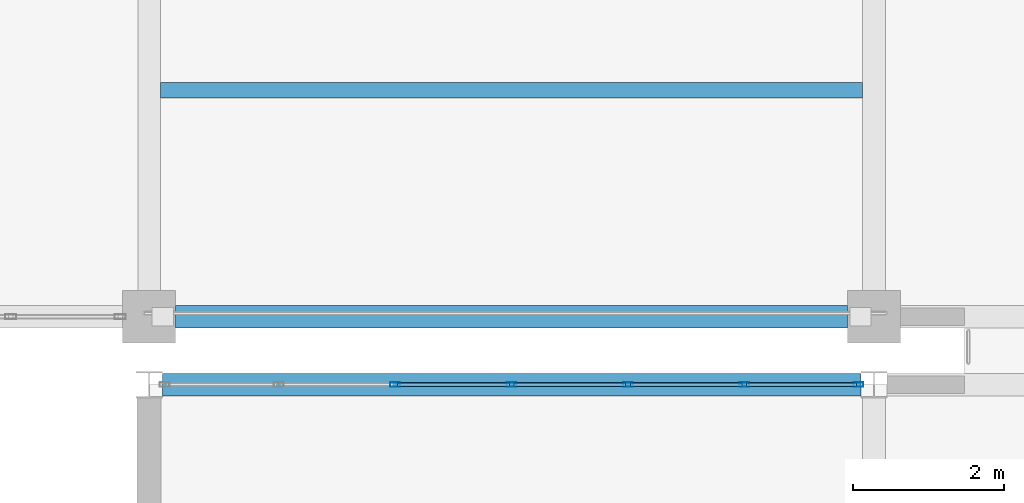
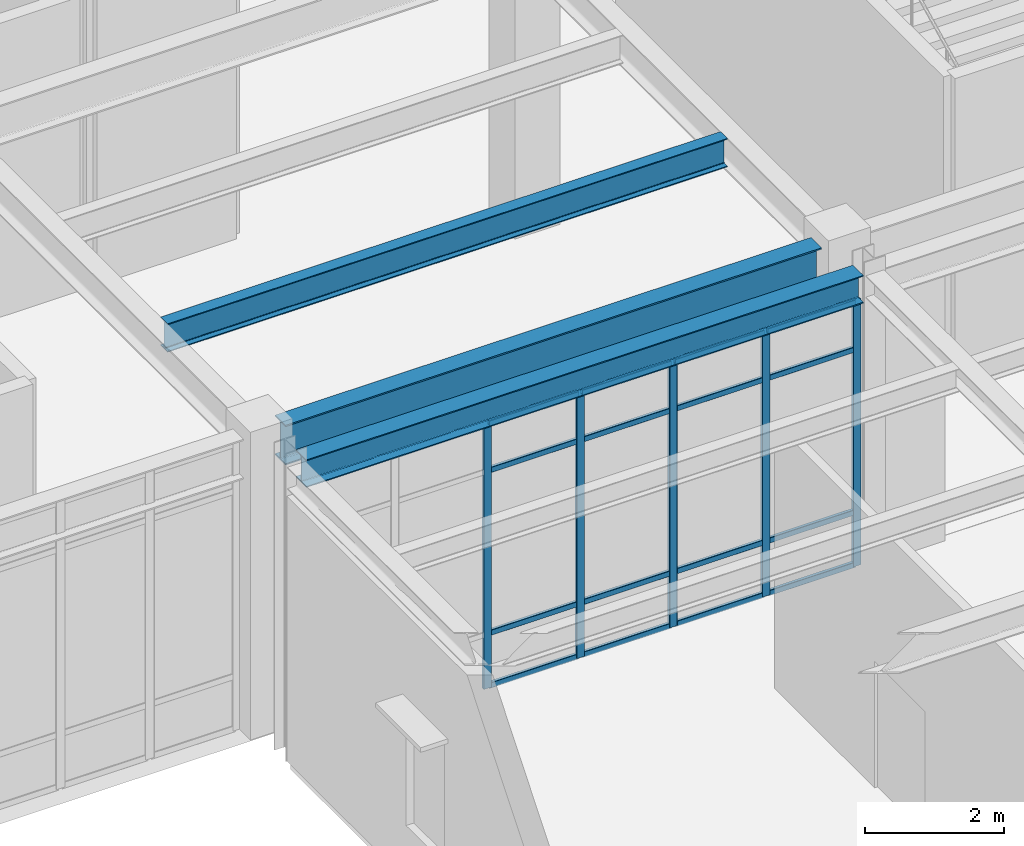
# One storey, part 23 of 80: 21 members, 3 beams, 1 element without a shape of its own.
"""IFC4 building model written with IfcOpenShell, lengths in metres."""

from ifc_helpers import new_model, si_unit, direction, frame, origin, origin_2d, place, context, subcontext, project, spatial, hollow_rectangle, i_section, extrude, material, material_profile, profile_set, type_object, element, aggregate, save


model = new_model("IFC4")

# Units and contexts
model_context = context("Model", 3, precision=1e-05, world=origin(), true_north=direction((0.0, 1.0)))
body_context = subcontext(model_context, "Body", "Model", "MODEL_VIEW")
ifc_project = project(units=[si_unit("LENGTHUNIT", "METRE"), si_unit("AREAUNIT", "SQUARE_METRE"), si_unit("VOLUMEUNIT", "CUBIC_METRE"), si_unit("PLANEANGLEUNIT", "RADIAN"), si_unit("MASSUNIT", "GRAM", prefix="KILO")], contexts=[model_context])

# Site, building, storey
site_placement = place(None, origin())
site = spatial("IfcSite", under=ifc_project, at=site_placement, CompositionType="ELEMENT")
building_placement = place(site_placement, origin())
building = spatial("IfcBuilding", under=site, at=building_placement, Name="Canglan Escarpment Cableway Terminal", CompositionType="ELEMENT")
storey_placement = place(building_placement, frame((0.0, 0.0, 19.199951171875)))
storey = spatial("IfcBuildingStorey", under=building, at=storey_placement, Name="L04", CompositionType="ELEMENT", Elevation=19.199951171875)

# Beams
ifc_material_1 = material(Name="Steel Q355B", Category="steel")
ifc_material_profile_1 = material_profile(ifc_material_1, i_section(OverallWidth=0.300048828125, OverallDepth=0.488037109375, WebThickness=0.010986328125, FlangeThickness=0.01806640625, FilletRadius=0.02587890625, at=origin_2d()), Name="HM 488x300x11x18")
ifc_profile_set_1 = profile_set([ifc_material_profile_1], Name="Steel Q355B")
beam_type_1 = type_object("IfcBeamType", Name="BM-HM488", PredefinedType="BEAM", material=ifc_profile_set_1)
beam_1_placement = place(storey_placement, frame((147.375, 33.10009765625, 4.916015625), z_axis=(1.0, 0.0, 0.0), x_axis=(0.0, 1.0, 0.0)))
element("IfcBeam", 1, at=beam_1_placement, inside=storey, type_object=beam_type_1, Name="Primary structural girder B-09", PredefinedType="BEAM", context=body_context, shape_type="SweptSolid", body=[
    extrude(i_section(OverallWidth=0.300048828125, OverallDepth=0.488037109375, WebThickness=0.010986328125, FlangeThickness=0.01806640625, FilletRadius=0.02587890625, at=origin_2d()), origin(), (0.0, 0.0, 1.0), 9.25),
])
ifc_material_2 = material(Name="Steel Q355C", Category="steel")
ifc_material_profile_2 = material_profile(ifc_material_2, i_section(OverallWidth=0.300048828125, OverallDepth=0.699951171875, WebThickness=0.012939453125, FlangeThickness=0.02392578125, FilletRadius=0.028076171875, at=origin_2d()), Name="HN 700x300x13x24")
ifc_profile_set_2 = profile_set([ifc_material_profile_2], Name="Steel Q355C")
beam_type_2 = type_object("IfcBeamType", Name="BM-HN700", PredefinedType="BEAM", material=ifc_profile_set_2)
beam_2_placement = place(storey_placement, frame((147.550048828125, 34.0, 4.81005859375), z_axis=(1.0, 0.0, 0.0), x_axis=(0.0, 1.0, 0.0)))
element("IfcBeam", 2, at=beam_2_placement, inside=storey, type_object=beam_type_2, Name="Primary structural girder B-06", PredefinedType="BEAM", context=body_context, shape_type="SweptSolid", body=[
    extrude(i_section(OverallWidth=0.300048828125, OverallDepth=0.699951171875, WebThickness=0.012939453125, FlangeThickness=0.02392578125, FilletRadius=0.028076171875, at=origin_2d()), origin(), (0.0, 0.0, 1.0), 8.89990234375),
])

# Curtain wall, members
ifc_material_3 = material(Name="Anodized bronze aluminium and Low-E double glazing", Category="aluminium")
curtain_wall_type = type_object("IfcCurtainWallType", Name="CW-BAY-9250x4650", PredefinedType="NOTDEFINED", material=ifc_material_3)
curtain_wall_placement = place(storey_placement, origin())
curtain_wall = element("IfcCurtainWall", 3, at=curtain_wall_placement, inside=storey, type_object=curtain_wall_type, Name="Classical bay-between-piers glazed curtain wall CW-36", PredefinedType="NOTDEFINED")
ifc_material_4 = material(Name="Thermally broken anodized aluminium 6063-T6", Category="aluminium")
ifc_material_profile_3 = material_profile(ifc_material_4, hollow_rectangle(XDim=0.06005859375, YDim=0.1298828125, WallThickness=0.0029296875, InnerFilletRadius=0.0029296875, OuterFilletRadius=0.006103515625, at=origin_2d()), Name="ALU-MULL 60x130x3")
ifc_profile_set_3 = profile_set([ifc_material_profile_3], Name="Thermally broken anodized aluminium 6063-T6")
member_type_1 = type_object("IfcMemberType", Name="CWM-01", PredefinedType="MULLION", material=ifc_profile_set_3)
member_1_placement = place(storey_placement, frame((156.594970703125, 33.10009765625, 0.0), z_axis=(0.0, 0.0, 1.0), x_axis=(0.0, -1.0, 0.0)))
member_1 = element("IfcMember", 4, at=member_1_placement, type_object=member_type_1, Name="CW-36 mullion 1", PredefinedType="MULLION", context=body_context, shape_type="SweptSolid", body=[
    extrude(hollow_rectangle(XDim=0.06005859375, YDim=0.1298828125, WallThickness=0.0029296875, InnerFilletRadius=0.0029296875, OuterFilletRadius=0.006103515625, at=origin_2d()), origin(), (0.0, 0.0, 1.0), 4.656982421875),
])
member_2_placement = place(storey_placement, frame((155.083251953125, 33.10009765625, 0.0), z_axis=(0.0, 0.0, 1.0), x_axis=(0.0, -1.0, 0.0)))
member_2 = element("IfcMember", 5, at=member_2_placement, type_object=member_type_1, Name="CW-36 mullion 2", PredefinedType="MULLION", context=body_context, shape_type="SweptSolid", body=[
    extrude(hollow_rectangle(XDim=0.06005859375, YDim=0.1298828125, WallThickness=0.0029296875, InnerFilletRadius=0.0029296875, OuterFilletRadius=0.006103515625, at=origin_2d()), origin(), (0.0, 0.0, 1.0), 4.656982421875),
])
member_3_placement = place(storey_placement, frame((153.541748046875, 33.10009765625, 0.0), z_axis=(0.0, 0.0, 1.0), x_axis=(0.0, -1.0, 0.0)))
member_3 = element("IfcMember", 6, at=member_3_placement, type_object=member_type_1, Name="CW-36 mullion 3", PredefinedType="MULLION", context=body_context, shape_type="SweptSolid", body=[
    extrude(hollow_rectangle(XDim=0.06005859375, YDim=0.1298828125, WallThickness=0.0029296875, InnerFilletRadius=0.0029296875, OuterFilletRadius=0.006103515625, at=origin_2d()), origin(), (0.0, 0.0, 1.0), 4.656982421875),
])
member_4_placement = place(storey_placement, frame((152.0, 33.10009765625, 0.0), z_axis=(0.0, 0.0, 1.0), x_axis=(0.0, -1.0, 0.0)))
member_4 = element("IfcMember", 7, at=member_4_placement, type_object=member_type_1, Name="CW-36 mullion 4", PredefinedType="MULLION", context=body_context, shape_type="SweptSolid", body=[
    extrude(hollow_rectangle(XDim=0.06005859375, YDim=0.1298828125, WallThickness=0.0029296875, InnerFilletRadius=0.0029296875, OuterFilletRadius=0.006103515625, at=origin_2d()), origin(), (0.0, 0.0, 1.0), 4.656982421875),
])
member_5_placement = place(storey_placement, frame((150.458251953125, 33.10009765625, 0.0), z_axis=(0.0, 0.0, 1.0), x_axis=(0.0, -1.0, 0.0)))
member_5 = element("IfcMember", 8, at=member_5_placement, type_object=member_type_1, Name="CW-36 mullion 5", PredefinedType="MULLION", context=body_context, shape_type="SweptSolid", body=[
    extrude(hollow_rectangle(XDim=0.06005859375, YDim=0.1298828125, WallThickness=0.0029296875, InnerFilletRadius=0.0029296875, OuterFilletRadius=0.006103515625, at=origin_2d()), origin(), (0.0, 0.0, 1.0), 4.656982421875),
])
ifc_material_profile_4 = material_profile(ifc_material_4, hollow_rectangle(XDim=0.054931640625, YDim=0.094970703125, WallThickness=0.0029296875, InnerFilletRadius=0.0029296875, OuterFilletRadius=0.006103515625, at=origin_2d()), Name="ALU-TRAN 55x95x3")
ifc_profile_set_4 = profile_set([ifc_material_profile_4], Name="Thermally broken anodized aluminium 6063-T6")
member_type_2 = type_object("IfcMemberType", Name="CWT-01", PredefinedType="USERDEFINED", material=ifc_profile_set_4)
member_6_placement = place(storey_placement, frame((156.56494140625, 33.10009765625, 0.027587890625), z_axis=(-1.0, 0.0, 0.0), x_axis=(0.0, -1.0, 0.0)))
member_6 = element("IfcMember", 9, at=member_6_placement, type_object=member_type_2, Name="CW-36 transom 1.1", ObjectType="TRANSOM", PredefinedType="USERDEFINED", context=body_context, shape_type="SweptSolid", body=[
    extrude(hollow_rectangle(XDim=0.054931640625, YDim=0.094970703125, WallThickness=0.0029296875, InnerFilletRadius=0.0029296875, OuterFilletRadius=0.006103515625, at=origin_2d()), origin(), (0.0, 0.0, 1.0), 1.45166015625),
])
member_7_placement = place(storey_placement, frame((156.56494140625, 33.10009765625, 0.949951171875), z_axis=(-1.0, 0.0, 0.0), x_axis=(0.0, -1.0, 0.0)))
member_7 = element("IfcMember", 10, at=member_7_placement, type_object=member_type_2, Name="CW-36 transom 1.2", ObjectType="TRANSOM", PredefinedType="USERDEFINED", context=body_context, shape_type="SweptSolid", body=[
    extrude(hollow_rectangle(XDim=0.054931640625, YDim=0.094970703125, WallThickness=0.0029296875, InnerFilletRadius=0.0029296875, OuterFilletRadius=0.006103515625, at=origin_2d()), origin(), (0.0, 0.0, 1.0), 1.45166015625),
])
member_8_placement = place(storey_placement, frame((156.56494140625, 33.10009765625, 3.80712890625), z_axis=(-1.0, 0.0, 0.0), x_axis=(0.0, -1.0, 0.0)))
member_8 = element("IfcMember", 11, at=member_8_placement, type_object=member_type_2, Name="CW-36 transom 1.3", ObjectType="TRANSOM", PredefinedType="USERDEFINED", context=body_context, shape_type="SweptSolid", body=[
    extrude(hollow_rectangle(XDim=0.054931640625, YDim=0.094970703125, WallThickness=0.0029296875, InnerFilletRadius=0.0029296875, OuterFilletRadius=0.006103515625, at=origin_2d()), origin(), (0.0, 0.0, 1.0), 1.45166015625),
])
member_9_placement = place(storey_placement, frame((156.56494140625, 33.10009765625, 4.629638671875), z_axis=(-1.0, 0.0, 0.0), x_axis=(0.0, -1.0, 0.0)))
member_9 = element("IfcMember", 12, at=member_9_placement, type_object=member_type_2, Name="CW-36 transom 1.4", ObjectType="TRANSOM", PredefinedType="USERDEFINED", context=body_context, shape_type="SweptSolid", body=[
    extrude(hollow_rectangle(XDim=0.054931640625, YDim=0.094970703125, WallThickness=0.0029296875, InnerFilletRadius=0.0029296875, OuterFilletRadius=0.006103515625, at=origin_2d()), origin(), (0.0, 0.0, 1.0), 1.45166015625),
])
member_10_placement = place(storey_placement, frame((155.05322265625, 33.10009765625, 0.027587890625), z_axis=(-1.0, 0.0, 0.0), x_axis=(0.0, -1.0, 0.0)))
member_10 = element("IfcMember", 13, at=member_10_placement, type_object=member_type_2, Name="CW-36 transom 2.1", ObjectType="TRANSOM", PredefinedType="USERDEFINED", context=body_context, shape_type="SweptSolid", body=[
    extrude(hollow_rectangle(XDim=0.054931640625, YDim=0.094970703125, WallThickness=0.0029296875, InnerFilletRadius=0.0029296875, OuterFilletRadius=0.006103515625, at=origin_2d()), origin(), (0.0, 0.0, 1.0), 1.4814453125),
])
member_11_placement = place(storey_placement, frame((155.05322265625, 33.10009765625, 0.949951171875), z_axis=(-1.0, 0.0, 0.0), x_axis=(0.0, -1.0, 0.0)))
member_11 = element("IfcMember", 14, at=member_11_placement, type_object=member_type_2, Name="CW-36 transom 2.2", ObjectType="TRANSOM", PredefinedType="USERDEFINED", context=body_context, shape_type="SweptSolid", body=[
    extrude(hollow_rectangle(XDim=0.054931640625, YDim=0.094970703125, WallThickness=0.0029296875, InnerFilletRadius=0.0029296875, OuterFilletRadius=0.006103515625, at=origin_2d()), origin(), (0.0, 0.0, 1.0), 1.4814453125),
])
member_12_placement = place(storey_placement, frame((155.05322265625, 33.10009765625, 3.80712890625), z_axis=(-1.0, 0.0, 0.0), x_axis=(0.0, -1.0, 0.0)))
member_12 = element("IfcMember", 15, at=member_12_placement, type_object=member_type_2, Name="CW-36 transom 2.3", ObjectType="TRANSOM", PredefinedType="USERDEFINED", context=body_context, shape_type="SweptSolid", body=[
    extrude(hollow_rectangle(XDim=0.054931640625, YDim=0.094970703125, WallThickness=0.0029296875, InnerFilletRadius=0.0029296875, OuterFilletRadius=0.006103515625, at=origin_2d()), origin(), (0.0, 0.0, 1.0), 1.4814453125),
])
member_13_placement = place(storey_placement, frame((155.05322265625, 33.10009765625, 4.629638671875), z_axis=(-1.0, 0.0, 0.0), x_axis=(0.0, -1.0, 0.0)))
member_13 = element("IfcMember", 16, at=member_13_placement, type_object=member_type_2, Name="CW-36 transom 2.4", ObjectType="TRANSOM", PredefinedType="USERDEFINED", context=body_context, shape_type="SweptSolid", body=[
    extrude(hollow_rectangle(XDim=0.054931640625, YDim=0.094970703125, WallThickness=0.0029296875, InnerFilletRadius=0.0029296875, OuterFilletRadius=0.006103515625, at=origin_2d()), origin(), (0.0, 0.0, 1.0), 1.4814453125),
])
member_14_placement = place(storey_placement, frame((153.51171875, 33.10009765625, 0.027587890625), z_axis=(-1.0, 0.0, 0.0), x_axis=(0.0, -1.0, 0.0)))
member_14 = element("IfcMember", 17, at=member_14_placement, type_object=member_type_2, Name="CW-36 transom 3.1", ObjectType="TRANSOM", PredefinedType="USERDEFINED", context=body_context, shape_type="SweptSolid", body=[
    extrude(hollow_rectangle(XDim=0.054931640625, YDim=0.094970703125, WallThickness=0.0029296875, InnerFilletRadius=0.0029296875, OuterFilletRadius=0.006103515625, at=origin_2d()), origin(), (0.0, 0.0, 1.0), 1.481689453125),
])
member_15_placement = place(storey_placement, frame((153.51171875, 33.10009765625, 0.949951171875), z_axis=(-1.0, 0.0, 0.0), x_axis=(0.0, -1.0, 0.0)))
member_15 = element("IfcMember", 18, at=member_15_placement, type_object=member_type_2, Name="CW-36 transom 3.2", ObjectType="TRANSOM", PredefinedType="USERDEFINED", context=body_context, shape_type="SweptSolid", body=[
    extrude(hollow_rectangle(XDim=0.054931640625, YDim=0.094970703125, WallThickness=0.0029296875, InnerFilletRadius=0.0029296875, OuterFilletRadius=0.006103515625, at=origin_2d()), origin(), (0.0, 0.0, 1.0), 1.481689453125),
])
member_16_placement = place(storey_placement, frame((153.51171875, 33.10009765625, 3.80712890625), z_axis=(-1.0, 0.0, 0.0), x_axis=(0.0, -1.0, 0.0)))
member_16 = element("IfcMember", 19, at=member_16_placement, type_object=member_type_2, Name="CW-36 transom 3.3", ObjectType="TRANSOM", PredefinedType="USERDEFINED", context=body_context, shape_type="SweptSolid", body=[
    extrude(hollow_rectangle(XDim=0.054931640625, YDim=0.094970703125, WallThickness=0.0029296875, InnerFilletRadius=0.0029296875, OuterFilletRadius=0.006103515625, at=origin_2d()), origin(), (0.0, 0.0, 1.0), 1.481689453125),
])
member_17_placement = place(storey_placement, frame((153.51171875, 33.10009765625, 4.629638671875), z_axis=(-1.0, 0.0, 0.0), x_axis=(0.0, -1.0, 0.0)))
member_17 = element("IfcMember", 20, at=member_17_placement, type_object=member_type_2, Name="CW-36 transom 3.4", ObjectType="TRANSOM", PredefinedType="USERDEFINED", context=body_context, shape_type="SweptSolid", body=[
    extrude(hollow_rectangle(XDim=0.054931640625, YDim=0.094970703125, WallThickness=0.0029296875, InnerFilletRadius=0.0029296875, OuterFilletRadius=0.006103515625, at=origin_2d()), origin(), (0.0, 0.0, 1.0), 1.481689453125),
])
member_18_placement = place(storey_placement, frame((151.969970703125, 33.10009765625, 0.027587890625), z_axis=(-1.0, 0.0, 0.0), x_axis=(0.0, -1.0, 0.0)))
member_18 = element("IfcMember", 21, at=member_18_placement, type_object=member_type_2, Name="CW-36 transom 4.1", ObjectType="TRANSOM", PredefinedType="USERDEFINED", context=body_context, shape_type="SweptSolid", body=[
    extrude(hollow_rectangle(XDim=0.054931640625, YDim=0.094970703125, WallThickness=0.0029296875, InnerFilletRadius=0.0029296875, OuterFilletRadius=0.006103515625, at=origin_2d()), origin(), (0.0, 0.0, 1.0), 1.481689453125),
])
member_19_placement = place(storey_placement, frame((151.969970703125, 33.10009765625, 0.949951171875), z_axis=(-1.0, 0.0, 0.0), x_axis=(0.0, -1.0, 0.0)))
member_19 = element("IfcMember", 22, at=member_19_placement, type_object=member_type_2, Name="CW-36 transom 4.2", ObjectType="TRANSOM", PredefinedType="USERDEFINED", context=body_context, shape_type="SweptSolid", body=[
    extrude(hollow_rectangle(XDim=0.054931640625, YDim=0.094970703125, WallThickness=0.0029296875, InnerFilletRadius=0.0029296875, OuterFilletRadius=0.006103515625, at=origin_2d()), origin(), (0.0, 0.0, 1.0), 1.481689453125),
])
member_20_placement = place(storey_placement, frame((151.969970703125, 33.10009765625, 3.80712890625), z_axis=(-1.0, 0.0, 0.0), x_axis=(0.0, -1.0, 0.0)))
member_20 = element("IfcMember", 23, at=member_20_placement, type_object=member_type_2, Name="CW-36 transom 4.3", ObjectType="TRANSOM", PredefinedType="USERDEFINED", context=body_context, shape_type="SweptSolid", body=[
    extrude(hollow_rectangle(XDim=0.054931640625, YDim=0.094970703125, WallThickness=0.0029296875, InnerFilletRadius=0.0029296875, OuterFilletRadius=0.006103515625, at=origin_2d()), origin(), (0.0, 0.0, 1.0), 1.481689453125),
])
member_21_placement = place(storey_placement, frame((151.969970703125, 33.10009765625, 4.629638671875), z_axis=(-1.0, 0.0, 0.0), x_axis=(0.0, -1.0, 0.0)))
member_21 = element("IfcMember", 24, at=member_21_placement, type_object=member_type_2, Name="CW-36 transom 4.4", ObjectType="TRANSOM", PredefinedType="USERDEFINED", context=body_context, shape_type="SweptSolid", body=[
    extrude(hollow_rectangle(XDim=0.054931640625, YDim=0.094970703125, WallThickness=0.0029296875, InnerFilletRadius=0.0029296875, OuterFilletRadius=0.006103515625, at=origin_2d()), origin(), (0.0, 0.0, 1.0), 1.481689453125),
])
aggregate(curtain_wall, [member_1, member_2, member_3, member_4, member_5, member_6, member_7, member_8, member_9, member_10, member_11, member_12, member_13, member_14, member_15, member_16, member_17, member_18, member_19, member_20, member_21])

# Beam
ifc_material_profile_5 = material_profile(ifc_material_1, i_section(OverallWidth=0.199951171875, OverallDepth=0.5, WebThickness=0.010009765625, FlangeThickness=0.01611328125, FilletRadius=0.02001953125, at=origin_2d()), Name="HN 500x200x10x16")
ifc_profile_set_5 = profile_set([ifc_material_profile_5], Name="Steel Q355B")
beam_type_3 = type_object("IfcBeamType", Name="JS-HN500", PredefinedType="JOIST", material=ifc_profile_set_5)
beam_3_placement = place(storey_placement, frame((147.35107421875, 37.0, 4.91015625), z_axis=(1.0, 0.0, 0.0), x_axis=(0.0, 1.0, 0.0)))
element("IfcBeam", 25, at=beam_3_placement, inside=storey, type_object=beam_type_3, Name="Secondary composite deck joist J-01", PredefinedType="JOIST", context=body_context, shape_type="SweptSolid", body=[
    extrude(i_section(OverallWidth=0.199951171875, OverallDepth=0.5, WebThickness=0.010009765625, FlangeThickness=0.01611328125, FilletRadius=0.02001953125, at=origin_2d()), origin(), (0.0, 0.0, 1.0), 9.2978515625),
])

save(model, "model.ifc")
